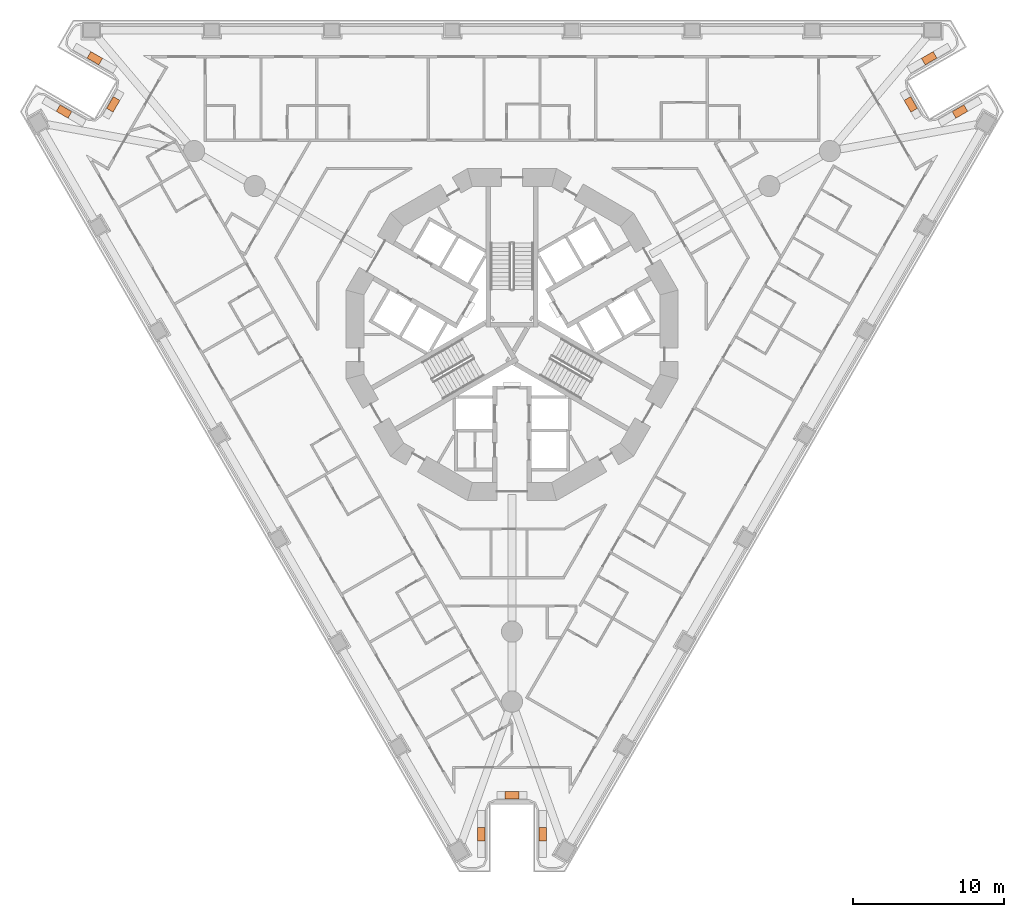
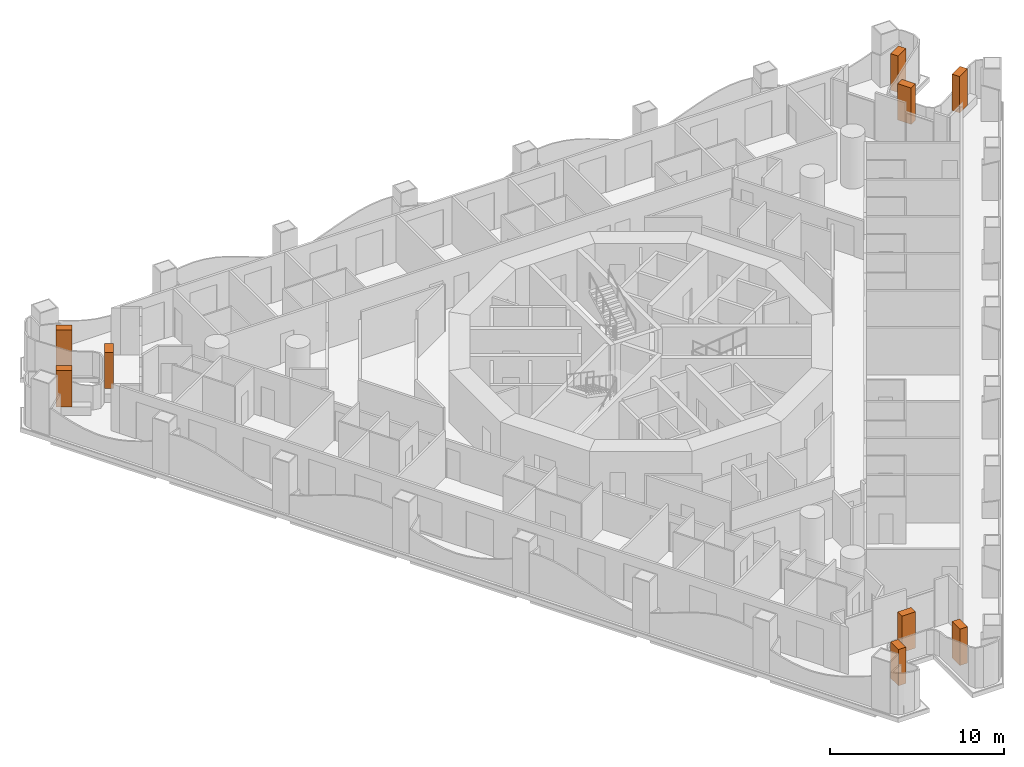
# One storey, part 20 of 20: 9 geographic elements.
"""IFC4 building model written with IfcOpenShell, lengths in metres."""

from ifc_helpers import new_model, si_unit, direction, frame, origin, origin_2d, place, context, subcontext, project, spatial, rectangle, extrude, element, save


model = new_model("IFC4")

# Units and contexts
model_context = context("Model", 3, precision=1e-05, world=origin(), true_north=direction((0.0, 1.0)))
body_context = subcontext(model_context, "Body", "Model", "MODEL_VIEW")
ifc_project = project(units=[si_unit("LENGTHUNIT", "METRE"), si_unit("AREAUNIT", "SQUARE_METRE"), si_unit("VOLUMEUNIT", "CUBIC_METRE"), si_unit("PLANEANGLEUNIT", "RADIAN"), si_unit("MASSUNIT", "GRAM", prefix="KILO")], contexts=[model_context])

# Site, building, storey
site_placement = place(None, origin())
site = spatial("IfcSite", under=ifc_project, at=site_placement, CompositionType="ELEMENT")
building_placement = place(site_placement, origin())
building = spatial("IfcBuilding", under=site, at=building_placement, Name="Trine Commons Tower", CompositionType="ELEMENT")
storey_placement = place(building_placement, frame((0.0, 0.0, 35.10009765625)))
storey = spatial("IfcBuildingStorey", under=building, at=storey_placement, Name="L07", CompositionType="ELEMENT", Elevation=35.10009765625)

# Geographic elements
for number, where, z_axis, x_axis, name in (
    (1, (50.298095703125, 77.29296875, 0.60009765625), (0.0, 0.0, 1.0), (0.866026276448, -0.4999984885, 0.0), "Tree 1.1"),
    (2, (53.560791015625, 77.7646484375, 0.60009765625), (0.0, 0.0, 1.0), (0.500010580459, 0.866019295067, 0.0), "Tree 2.1"),
    (3, (52.337890625, 80.826416015625, 0.60009765625), (0.0, 0.0, 1.0), (-0.866026276448, 0.4999984885, 0.0), "Tree 3.1"),
    (4, (107.662109375, 80.826416015625, 0.60009765625), (0.0, 0.0, 1.0), (-0.866026276448, -0.4999984885, 0.0), "Tree 4.1"),
    (5, (106.439208984375, 77.7646484375, 0.60009765625), (0.0, 0.0, 1.0), (0.500010580459, -0.866019295067, 0.0), "Tree 5.1"),
    (6, (109.701904296875, 77.29296875, 0.60009765625), (0.0, 0.0, 1.0), (0.866026276448, 0.4999984885, 0.0), "Tree 6.1"),
    (7, (82.0400390625, 29.380859375, 0.60009765625), (0.0, 0.0, 1.0), (0.0, 1.0, 0.0), "Tree 7.1"),
    (8, (80.0, 31.970703125, 0.60009765625), (0.0, 0.0, 1.0), (-1.0, 0.0, 0.0), "Tree 8.1"),
    (9, (77.9599609375, 29.380859375, 0.60009765625), (0.0, 0.0, 1.0), (0.0, -1.0, 0.0), "Tree 9.1"),
):
    element("IfcGeographicElement", number, at=place(storey_placement, frame(where, z_axis=z_axis, x_axis=x_axis)), inside=storey, Name=name, ObjectType="TREE Tabebuia rosea", PredefinedType="USERDEFINED", context=body_context, shape_type="SweptSolid", body=[
        extrude(rectangle(XDim=0.89990234375, YDim=0.5, at=origin_2d()), origin(), (0.0, 0.0, 1.0), 2.550048828125),
    ])

save(model, "model.ifc")
